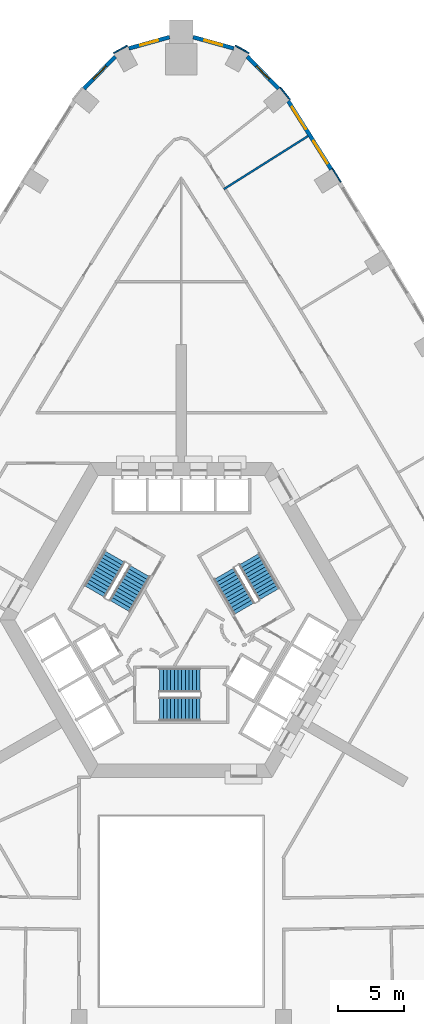
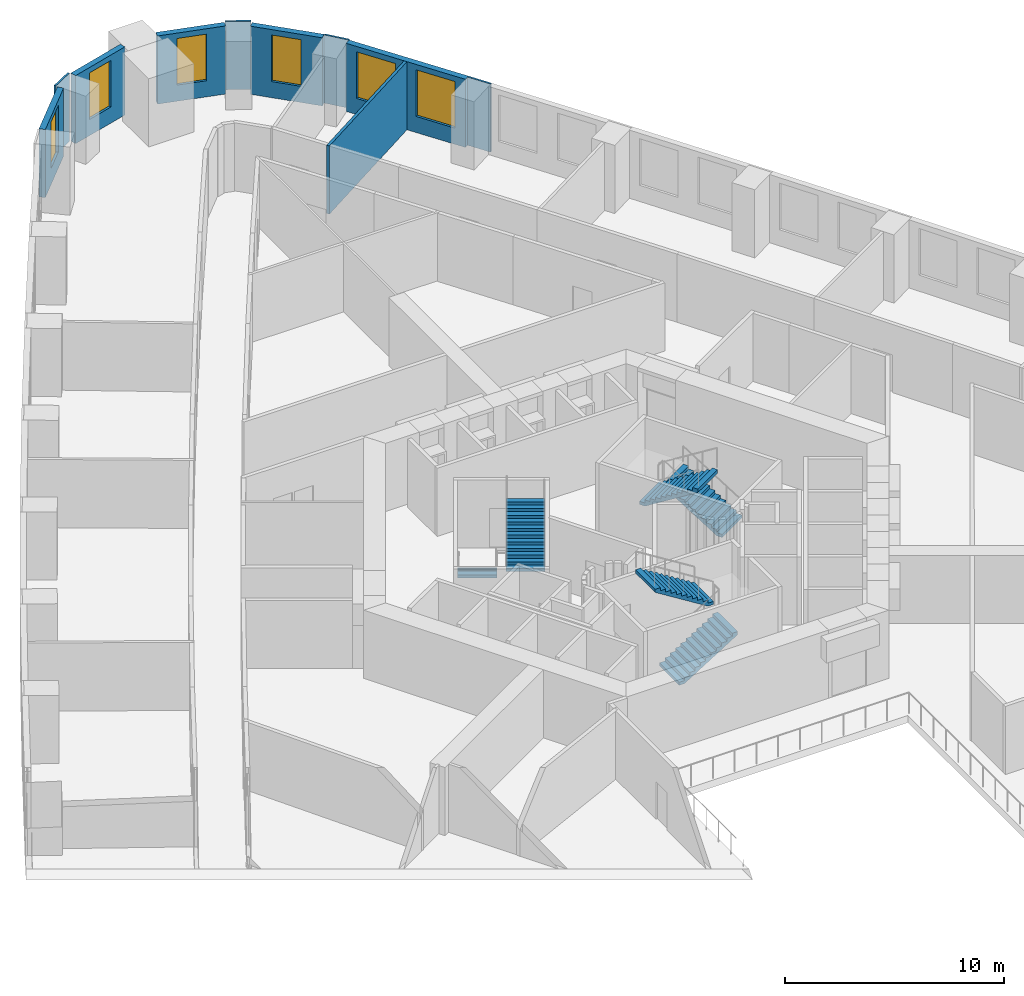
# One storey, part 12 of 13: 10 walls, 6 stair flights, 6 windows, 6 openings, 3 elements without a shape of their own.
"""IFC4 building model written with IfcOpenShell, lengths in metres."""

from ifc_helpers import new_model, si_unit, direction, frame, frame_2d, origin, place, context, subcontext, project, spatial, polyline, rectangle, outline, extrude, material, layer, layer_set, type_object, element, fill, aggregate, save


model = new_model("IFC4")

# Units and contexts
model_context = context("Model", 3, precision=1e-05, world=origin(), true_north=direction((0.0, 1.0)))
body_context = subcontext(model_context, "Body", "Model", "MODEL_VIEW")
ifc_project = project(units=[si_unit("LENGTHUNIT", "METRE"), si_unit("AREAUNIT", "SQUARE_METRE"), si_unit("VOLUMEUNIT", "CUBIC_METRE"), si_unit("PLANEANGLEUNIT", "RADIAN"), si_unit("MASSUNIT", "GRAM", prefix="KILO")], contexts=[model_context])

# Site, building, storey
site_placement = place(None, origin())
site = spatial("IfcSite", under=ifc_project, at=site_placement, CompositionType="ELEMENT")
building_placement = place(site_placement, origin())
building = spatial("IfcBuilding", under=site, at=building_placement, Name="Entoto Arch Interchange Tower", CompositionType="ELEMENT")
storey_placement = place(building_placement, frame((0.0, 0.0, 51.800048828125)))
storey = spatial("IfcBuildingStorey", under=building, at=storey_placement, Name="L10", CompositionType="ELEMENT", Elevation=51.800048828125)

# Wall
ifc_material_1 = material(Name="Gypsum board partition on steel studs", Category="steel")
ifc_layer_1 = layer(ifc_material_1, 0.14990234375)
ifc_layer_set_1 = layer_set([ifc_layer_1], Name="Gypsum board partition on steel studs")
wall_type_1 = type_object("IfcWallType", Name="PARTITION 150", PredefinedType="PARTITIONING", material=ifc_layer_set_1)
wall_1_placement = place(storey_placement, frame((3.235107421875, 35.35205078125, 0.0), z_axis=(0.0, 0.0, 1.0), x_axis=(0.845987036055, 0.533203464755, 0.0)))
element("IfcWall", 1, at=wall_1_placement, inside=storey, type_object=wall_type_1, Name="wall:L10:p138", PredefinedType="PARTITIONING", context=body_context, shape_type="SweptSolid", body=[
    extrude(rectangle(XDim=7.599365234375, YDim=0.14990234375, at=frame_2d((3.7998046875, 0.0))), origin(), (0.0, 0.0, 1.0), 3.800048828125),
])

# Wall, openings, windows
ifc_material_2 = material(Name="Welded tuff (ignimbrite) cladding, warm buff", Category="masonry")
ifc_layer_2 = layer(ifc_material_2, 0.300048828125)
ifc_layer_set_2 = layer_set([ifc_layer_2], Name="Welded tuff (ignimbrite) cladding, warm buff")
wall_type_2 = type_object("IfcWallType", Name="STONE INFILL WALL 300", PredefinedType="STANDARD", material=ifc_layer_set_2)
wall_2_placement = place(storey_placement, frame((11.43896484375, 36.868896484375, 0.0), z_axis=(0.0, 0.0, 1.0), x_axis=(-0.533075127321, 0.846067910177, 0.0)))
wall_2 = element("IfcWall", 2, at=wall_2_placement, inside=storey, type_object=wall_type_2, Name="Facade wall NE-09 L10", PredefinedType="STANDARD", context=body_context, shape_type="SweptSolid", body=[
    extrude(rectangle(XDim=6.15673828125, YDim=0.300048828125, at=frame_2d((3.078369140625, 0.0))), origin(), (0.0, 0.0, 1.0), 3.800048828125),
])
opening_1_placement = place(wall_2_placement, frame((0.5390625, 0.0, 0.89990234375)))
opening_1 = element("IfcOpeningElement", 3, at=opening_1_placement, cuts=wall_2, Name="Opening WO-C", PredefinedType="OPENING", context=body_context, shape_type="SweptSolid", body=[
    extrude(rectangle(XDim=2.0, YDim=2.60009765625, at=frame_2d((1.0, 1.300048828125))), frame((0.0, 0.16015625, 0.0), z_axis=(0.0, -1.0, 0.0), x_axis=(1.0, 0.0, 0.0)), (0.0, 0.0, 1.0), 0.320068359375),
])
opening_2_placement = place(wall_2_placement, frame((3.617919921875, 0.0, 0.89990234375)))
opening_2 = element("IfcOpeningElement", 4, at=opening_2_placement, cuts=wall_2, Name="Opening WO-C", PredefinedType="OPENING", context=body_context, shape_type="SweptSolid", body=[
    extrude(rectangle(XDim=2.0, YDim=2.60009765625, at=frame_2d((1.0, 1.300048828125))), frame((0.0, 0.16015625, 0.0), z_axis=(0.0, -1.0, 0.0), x_axis=(1.0, 0.0, 0.0)), (0.0, 0.0, 1.0), 0.320068359375),
])
ifc_material_3 = material(Name="Clear glass, low-e double glazed", Category="glass")
window_type_1 = type_object("IfcWindowType", Name="WINDOW WO-C 2000x2600", PartitioningType="DOUBLE_PANEL_VERTICAL", PredefinedType="WINDOW", material=ifc_material_3)
window_1_placement = place(opening_1_placement, origin())
window_1 = element("IfcWindow", 5, at=window_1_placement, inside=storey, type_object=window_type_1, Name="Window WO-C NE-09 L10", OverallHeight=2.60009765625, OverallWidth=2.0, PartitioningType="SINGLE_PANEL", PredefinedType="WINDOW", context=body_context, shape_type="SweptSolid", body=[
    extrude(rectangle(XDim=2.0, YDim=2.60009765625, at=frame_2d((1.0, 1.300048828125))), frame((0.0, 0.030029296875, 0.0), z_axis=(0.0, -1.0, 0.0), x_axis=(1.0, 0.0, 0.0)), (0.0, 0.0, 1.0), 0.06005859375),
])
fill(opening_1, window_1)
window_2_placement = place(opening_2_placement, origin())
window_2 = element("IfcWindow", 6, at=window_2_placement, inside=storey, type_object=window_type_1, Name="Window WO-C NE-09 L10", OverallHeight=2.60009765625, OverallWidth=2.0, PartitioningType="SINGLE_PANEL", PredefinedType="WINDOW", context=body_context, shape_type="SweptSolid", body=[
    extrude(rectangle(XDim=2.0, YDim=2.60009765625, at=frame_2d((1.0, 1.300048828125))), frame((0.0, 0.030029296875, 0.0), z_axis=(0.0, -1.0, 0.0), x_axis=(1.0, 0.0, 0.0)), (0.0, 0.0, 1.0), 0.06005859375),
])
fill(opening_2, window_2)

# Wall, opening, window
wall_3_placement = place(storey_placement, frame((7.416015625, 43.02001953125, 0.0), z_axis=(0.0, 0.0, 1.0), x_axis=(-0.696939827977, 0.717129609052, 0.0)))
wall_3 = element("IfcWall", 7, at=wall_3_placement, inside=storey, type_object=wall_type_2, Name="Facade wall N-01 L10", PredefinedType="STANDARD", context=body_context, shape_type="SweptSolid", body=[
    extrude(rectangle(XDim=3.422119140625, YDim=0.300048828125, at=frame_2d((1.7109375, 0.0))), origin(), (0.0, 0.0, 1.0), 3.800048828125),
])
opening_3_placement = place(wall_3_placement, frame((1.010986328125, 0.0, 0.89990234375)))
opening_3 = element("IfcOpeningElement", 8, at=opening_3_placement, cuts=wall_3, Name="Opening WO-B", PredefinedType="OPENING", context=body_context, shape_type="SweptSolid", body=[
    extrude(rectangle(XDim=1.39990234375, YDim=2.60009765625, at=frame_2d((0.699951171875, 1.300048828125))), frame((0.0, 0.16015625, 0.0), z_axis=(0.0, -1.0, 0.0), x_axis=(1.0, 0.0, 0.0)), (0.0, 0.0, 1.0), 0.320068359375),
])
window_type_2 = type_object("IfcWindowType", Name="WINDOW WO-B 1400x2600", PartitioningType="DOUBLE_PANEL_VERTICAL", PredefinedType="WINDOW", material=ifc_material_3)
window_3_placement = place(opening_3_placement, origin())
window_3 = element("IfcWindow", 9, at=window_3_placement, inside=storey, type_object=window_type_2, Name="Window WO-B N-01 L10", OverallHeight=2.60009765625, OverallWidth=1.39990234375, PartitioningType="SINGLE_PANEL", PredefinedType="WINDOW", context=body_context, shape_type="SweptSolid", body=[
    extrude(rectangle(XDim=1.39990234375, YDim=2.60009765625, at=frame_2d((0.699951171875, 1.300048828125))), frame((0.0, 0.030029296875, 0.0), z_axis=(0.0, -1.0, 0.0), x_axis=(1.0, 0.0, 0.0)), (0.0, 0.0, 1.0), 0.06005859375),
])
fill(opening_3, window_3)

wall_4_placement = place(storey_placement, frame((4.0029296875, 46.091064453125, 0.0), z_axis=(0.0, 0.0, 1.0), x_axis=(-0.96355047552, 0.267526598913, 0.0)))
wall_4 = element("IfcWall", 10, at=wall_4_placement, inside=storey, type_object=wall_type_2, Name="Facade wall N-02 L10", PredefinedType="STANDARD", context=body_context, shape_type="SweptSolid", body=[
    extrude(rectangle(XDim=3.221435546875, YDim=0.300048828125, at=frame_2d((1.61083984375, 0.0))), origin(), (0.0, 0.0, 1.0), 3.800048828125),
])
opening_4_placement = place(wall_4_placement, frame((0.910888671875, 0.0, 0.89990234375)))
opening_4 = element("IfcOpeningElement", 11, at=opening_4_placement, cuts=wall_4, Name="Opening WO-B", PredefinedType="OPENING", context=body_context, shape_type="SweptSolid", body=[
    extrude(rectangle(XDim=1.39990234375, YDim=2.60009765625, at=frame_2d((0.699951171875, 1.300048828125))), frame((0.0, 0.16015625, 0.0), z_axis=(0.0, -1.0, 0.0), x_axis=(1.0, 0.0, 0.0)), (0.0, 0.0, 1.0), 0.320068359375),
])
window_4_placement = place(opening_4_placement, origin())
window_4 = element("IfcWindow", 12, at=window_4_placement, inside=storey, type_object=window_type_2, Name="Window WO-B N-02 L10", OverallHeight=2.60009765625, OverallWidth=1.39990234375, PartitioningType="SINGLE_PANEL", PredefinedType="WINDOW", context=body_context, shape_type="SweptSolid", body=[
    extrude(rectangle(XDim=1.39990234375, YDim=2.60009765625, at=frame_2d((0.699951171875, 1.300048828125))), frame((0.0, 0.030029296875, 0.0), z_axis=(0.0, -1.0, 0.0), x_axis=(1.0, 0.0, 0.0)), (0.0, 0.0, 1.0), 0.06005859375),
])
fill(opening_4, window_4)

wall_5_placement = place(storey_placement, frame((-0.89892578125, 46.952880859375, 0.0), z_axis=(0.0, 0.0, 1.0), x_axis=(-0.96355047552, -0.267526598913, 0.0)))
wall_5 = element("IfcWall", 13, at=wall_5_placement, inside=storey, type_object=wall_type_2, Name="Facade wall N-03 L10", PredefinedType="STANDARD", context=body_context, shape_type="SweptSolid", body=[
    extrude(rectangle(XDim=3.221435546875, YDim=0.300048828125, at=frame_2d((1.61083984375, 0.0))), origin(), (0.0, 0.0, 1.0), 3.800048828125),
])
opening_5_placement = place(wall_5_placement, frame((0.910888671875, 0.0, 0.89990234375)))
opening_5 = element("IfcOpeningElement", 14, at=opening_5_placement, cuts=wall_5, Name="Opening WO-B", PredefinedType="OPENING", context=body_context, shape_type="SweptSolid", body=[
    extrude(rectangle(XDim=1.39990234375, YDim=2.60009765625, at=frame_2d((0.699951171875, 1.300048828125))), frame((0.0, 0.16015625, 0.0), z_axis=(0.0, -1.0, 0.0), x_axis=(1.0, 0.0, 0.0)), (0.0, 0.0, 1.0), 0.320068359375),
])
window_5_placement = place(opening_5_placement, origin())
window_5 = element("IfcWindow", 15, at=window_5_placement, inside=storey, type_object=window_type_2, Name="Window WO-B N-03 L10", OverallHeight=2.60009765625, OverallWidth=1.39990234375, PartitioningType="SINGLE_PANEL", PredefinedType="WINDOW", context=body_context, shape_type="SweptSolid", body=[
    extrude(rectangle(XDim=1.39990234375, YDim=2.60009765625, at=frame_2d((0.699951171875, 1.300048828125))), frame((0.0, 0.030029296875, 0.0), z_axis=(0.0, -1.0, 0.0), x_axis=(1.0, 0.0, 0.0)), (0.0, 0.0, 1.0), 0.06005859375),
])
fill(opening_5, window_5)

wall_6_placement = place(storey_placement, frame((-5.031005859375, 45.47412109375, 0.0), z_axis=(0.0, 0.0, 1.0), x_axis=(-0.696939827977, -0.717129609052, 0.0)))
wall_6 = element("IfcWall", 16, at=wall_6_placement, inside=storey, type_object=wall_type_2, Name="Facade wall N-04 L10", PredefinedType="STANDARD", context=body_context, shape_type="SweptSolid", body=[
    extrude(rectangle(XDim=3.422119140625, YDim=0.300048828125, at=frame_2d((1.7109375, 0.0))), origin(), (0.0, 0.0, 1.0), 3.800048828125),
])
opening_6_placement = place(wall_6_placement, frame((1.010986328125, 0.0, 0.89990234375)))
opening_6 = element("IfcOpeningElement", 17, at=opening_6_placement, cuts=wall_6, Name="Opening WO-B", PredefinedType="OPENING", context=body_context, shape_type="SweptSolid", body=[
    extrude(rectangle(XDim=1.39990234375, YDim=2.60009765625, at=frame_2d((0.699951171875, 1.300048828125))), frame((0.0, 0.16015625, 0.0), z_axis=(0.0, -1.0, 0.0), x_axis=(1.0, 0.0, 0.0)), (0.0, 0.0, 1.0), 0.320068359375),
])
window_6_placement = place(opening_6_placement, origin())
window_6 = element("IfcWindow", 18, at=window_6_placement, inside=storey, type_object=window_type_2, Name="Window WO-B N-04 L10", OverallHeight=2.60009765625, OverallWidth=1.39990234375, PartitioningType="SINGLE_PANEL", PredefinedType="WINDOW", context=body_context, shape_type="SweptSolid", body=[
    extrude(rectangle(XDim=1.39990234375, YDim=2.60009765625, at=frame_2d((0.699951171875, 1.300048828125))), frame((0.0, 0.030029296875, 0.0), z_axis=(0.0, -1.0, 0.0), x_axis=(1.0, 0.0, 0.0)), (0.0, 0.0, 1.0), 0.06005859375),
])
fill(opening_6, window_6)

# Walls
ifc_layer_3 = layer(ifc_material_2, 0.10009765625)
ifc_layer_set_3 = layer_set([ifc_layer_3], Name="Welded tuff (ignimbrite) cladding, warm buff")
wall_type_3 = type_object("IfcWallType", Name="STONE PIER CLADDING 100", PredefinedType="STANDARD", material=ifc_layer_set_3)
for number, where, z_axis, x_axis, name in (
    (19, (5.172119140625, 45.72900390625, 0.0), (0.0, 0.0, 1.0), (-0.877155474831, 0.480206489934, 0.0), "Stone pier N1 L10"),
    (20, (-4.1201171875, 46.304931640625, 0.0), (0.0, 0.0, 1.0), (-0.877155474831, -0.480206489934, 0.0), "Stone pier N3 L10"),
):
    element("IfcWall", number, at=place(storey_placement, frame(where, z_axis=z_axis, x_axis=x_axis)), inside=storey, type_object=wall_type_3, Name=name, PredefinedType="STANDARD", context=body_context, shape_type="SweptSolid", body=[
        extrude(rectangle(XDim=1.19921875, YDim=0.10009765625, at=frame_2d((0.599609375, 0.0))), origin(), (0.0, 0.0, 1.0), 3.800048828125),
    ])
wall_7_placement = place(storey_placement, frame((12.162109375, 35.906982421875, 0.0), z_axis=(0.0, 0.0, 1.0), x_axis=(-0.530328162925, 0.847792450785, 0.0)))
element("IfcWall", 21, at=wall_7_placement, inside=storey, type_object=wall_type_3, Name="Stone pier NE09 L10", PredefinedType="STANDARD", context=body_context, shape_type="SweptSolid", body=[
    extrude(rectangle(XDim=1.19970703125, YDim=0.10009765625, at=frame_2d((0.599853515625, 0.0))), origin(), (0.0, 0.0, 1.0), 3.800048828125),
])
wall_8_placement = place(storey_placement, frame((8.294921875, 42.19091796875, 0.0), z_axis=(0.0, 0.0, 1.0), x_axis=(-0.637638520791, 0.770335716947, 0.0)))
element("IfcWall", 22, at=wall_8_placement, inside=storey, type_object=wall_type_3, Name="Stone pier NE10 L10", PredefinedType="STANDARD", context=body_context, shape_type="SweptSolid", body=[
    extrude(rectangle(XDim=1.199462890625, YDim=0.10009765625, at=frame_2d((0.599609375, 0.0))), origin(), (0.0, 0.0, 1.0), 3.800048828125),
])

# Stair, stair flights
ifc_material_4 = material(Name="Concrete C40/50", Category="concrete")
stair_type = type_object("IfcStairType", Name="EXIT STAIR RC 1800", PredefinedType="HALF_TURN_STAIR", material=ifc_material_4)
stair_1_placement = place(storey_placement, origin())
stair_1 = element("IfcStair", 23, at=stair_1_placement, inside=storey, type_object=stair_type, Name="L10 Exit stair S", PredefinedType="HALF_TURN_STAIR")
stair_flight_type = type_object("IfcStairFlightType", Name="EXIT STAIR FLIGHT RC 1800", PredefinedType="STRAIGHT", material=ifc_material_4)
stair_flight_1_placement = place(storey_placement, frame((-1.64990234375, -4.300048828125, 0.0), z_axis=(0.0, 0.0, 1.0), x_axis=(1.0, 0.0, 0.0)))
stair_flight_1 = element("IfcStairFlight", 24, at=stair_flight_1_placement, type_object=stair_flight_type, Name="ST-S flight 1", NumberOfRisers=12, NumberOfTreads=11, PredefinedType="STRAIGHT", RiserHeight=0.175, TreadLength=0.28, context=body_context, shape_type="SweptSolid", body=[
    extrude(outline(polyline([(-0.0029296875, 0.0), (-0.0029296875, 0.175048828125), (0.280029296875, 0.175048828125), (0.280029296875, 0.35009765625), (0.56005859375, 0.35009765625), (0.56005859375, 0.52490234375), (0.840087890625, 0.52490234375), (0.840087890625, 0.699951171875), (1.1201171875, 0.699951171875), (1.1201171875, 0.875), (1.39990234375, 0.875), (1.39990234375, 1.050048828125), (1.679931640625, 1.050048828125), (1.679931640625, 1.22509765625), (1.9599609375, 1.22509765625), (1.9599609375, 1.39990234375), (2.239990234375, 1.39990234375), (2.239990234375, 1.574951171875), (2.52001953125, 1.574951171875), (2.52001953125, 1.75), (2.800048828125, 1.75), (2.800048828125, 1.925048828125), (3.080078125, 1.925048828125), (3.0830078125, 1.925048828125), (3.0830078125, 1.75), (0.28271484375, 0.0), (-0.0029296875, 0.0)])), frame((0.0, 0.89990234375, 0.0), z_axis=(0.0, -1.0, 0.0), x_axis=(1.0, 0.0, 0.0)), (0.0, 0.0, 1.0), 1.800048828125),
])
stair_flight_2_placement = place(storey_placement, frame((1.429931640625, -2.10009765625, 2.099853515625), z_axis=(0.0, 0.0, 1.0), x_axis=(-1.0, 0.0, 0.0)))
stair_flight_2 = element("IfcStairFlight", 25, at=stair_flight_2_placement, type_object=stair_flight_type, Name="ST-S flight 2", NumberOfRisers=12, NumberOfTreads=11, PredefinedType="STRAIGHT", RiserHeight=0.175, TreadLength=0.28, context=body_context, shape_type="SweptSolid", body=[
    extrude(outline(polyline([(-0.0029296875, 0.0), (-0.0029296875, 0.175048828125), (0.280029296875, 0.175048828125), (0.280029296875, 0.35009765625), (0.56005859375, 0.35009765625), (0.56005859375, 0.52490234375), (0.840087890625, 0.52490234375), (0.840087890625, 0.699951171875), (1.1201171875, 0.699951171875), (1.1201171875, 0.875), (1.39990234375, 0.875), (1.39990234375, 1.050048828125), (1.679931640625, 1.050048828125), (1.679931640625, 1.22509765625), (1.9599609375, 1.22509765625), (1.9599609375, 1.39990234375), (2.239990234375, 1.39990234375), (2.239990234375, 1.574951171875), (2.52001953125, 1.574951171875), (2.52001953125, 1.75), (2.800048828125, 1.75), (2.800048828125, 1.925048828125), (3.080078125, 1.925048828125), (3.0830078125, 1.925048828125), (3.0830078125, 1.75), (0.28271484375, 0.0), (-0.0029296875, 0.0)])), frame((0.0, 0.89990234375, 0.0), z_axis=(0.0, -1.0, 0.0), x_axis=(1.0, 0.0, 0.0)), (0.0, 0.0, 1.0), 1.800048828125),
])
aggregate(stair_1, [stair_flight_1, stair_flight_2])

stair_2_placement = place(storey_placement, origin())
stair_2 = element("IfcStair", 26, at=stair_2_placement, inside=storey, type_object=stair_type, Name="L10 Exit stair NE", PredefinedType="HALF_TURN_STAIR")
stair_flight_3_placement = place(storey_placement, frame((6.7138671875, 4.470947265625, 0.0), z_axis=(0.0, 0.0, 1.0), x_axis=(-0.5, 0.866025403784, 0.0)))
stair_flight_3 = element("IfcStairFlight", 27, at=stair_flight_3_placement, type_object=stair_flight_type, Name="ST-NE flight 1", NumberOfRisers=12, NumberOfTreads=11, PredefinedType="STRAIGHT", RiserHeight=0.175, TreadLength=0.28, context=body_context, shape_type="SweptSolid", body=[
    extrude(outline(polyline([(-0.0029296875, 0.0), (-0.0029296875, 0.175048828125), (0.280029296875, 0.175048828125), (0.280029296875, 0.35009765625), (0.56005859375, 0.35009765625), (0.56005859375, 0.52490234375), (0.840087890625, 0.52490234375), (0.840087890625, 0.699951171875), (1.1201171875, 0.699951171875), (1.1201171875, 0.875), (1.39990234375, 0.875), (1.39990234375, 1.050048828125), (1.679931640625, 1.050048828125), (1.679931640625, 1.22509765625), (1.9599609375, 1.22509765625), (1.9599609375, 1.39990234375), (2.239990234375, 1.39990234375), (2.239990234375, 1.574951171875), (2.52001953125, 1.574951171875), (2.52001953125, 1.75), (2.800048828125, 1.75), (2.800048828125, 1.925048828125), (3.080078125, 1.925048828125), (3.0830078125, 1.925048828125), (3.0830078125, 1.75), (0.28271484375, 0.0), (-0.0029296875, 0.0)])), frame((0.0, 0.89990234375, 0.0), z_axis=(0.0, -1.0, 0.0), x_axis=(1.0, 0.0, 0.0)), (0.0, 0.0, 1.0), 1.800048828125),
])
stair_flight_4_placement = place(storey_placement, frame((3.268798828125, 6.038330078125, 2.099853515625), z_axis=(0.0, 0.0, 1.0), x_axis=(0.5, -0.866025403784, 0.0)))
stair_flight_4 = element("IfcStairFlight", 28, at=stair_flight_4_placement, type_object=stair_flight_type, Name="ST-NE flight 2", NumberOfRisers=12, NumberOfTreads=11, PredefinedType="STRAIGHT", RiserHeight=0.175, TreadLength=0.28, context=body_context, shape_type="SweptSolid", body=[
    extrude(outline(polyline([(-0.0029296875, 0.0), (-0.0029296875, 0.175048828125), (0.280029296875, 0.175048828125), (0.280029296875, 0.35009765625), (0.56005859375, 0.35009765625), (0.56005859375, 0.52490234375), (0.840087890625, 0.52490234375), (0.840087890625, 0.699951171875), (1.1201171875, 0.699951171875), (1.1201171875, 0.875), (1.39990234375, 0.875), (1.39990234375, 1.050048828125), (1.679931640625, 1.050048828125), (1.679931640625, 1.22509765625), (1.9599609375, 1.22509765625), (1.9599609375, 1.39990234375), (2.239990234375, 1.39990234375), (2.239990234375, 1.574951171875), (2.52001953125, 1.574951171875), (2.52001953125, 1.75), (2.800048828125, 1.75), (2.800048828125, 1.925048828125), (3.080078125, 1.925048828125), (3.0830078125, 1.925048828125), (3.0830078125, 1.75), (0.28271484375, 0.0), (-0.0029296875, 0.0)])), frame((0.0, 0.89990234375, 0.0), z_axis=(0.0, -1.0, 0.0), x_axis=(1.0, 0.0, 0.0)), (0.0, 0.0, 1.0), 1.800048828125),
])
aggregate(stair_2, [stair_flight_3, stair_flight_4])

stair_3_placement = place(storey_placement, origin())
stair_3 = element("IfcStair", 29, at=stair_3_placement, inside=storey, type_object=stair_type, Name="L10 Exit stair NW", PredefinedType="HALF_TURN_STAIR")
stair_flight_5_placement = place(storey_placement, frame((-5.06396484375, 7.328857421875, 0.0), z_axis=(0.0, 0.0, 1.0), x_axis=(-0.5, -0.866025403784, 0.0)))
stair_flight_5 = element("IfcStairFlight", 30, at=stair_flight_5_placement, type_object=stair_flight_type, Name="ST-NW flight 1", NumberOfRisers=12, NumberOfTreads=11, PredefinedType="STRAIGHT", RiserHeight=0.175, TreadLength=0.28, context=body_context, shape_type="SweptSolid", body=[
    extrude(outline(polyline([(-0.0029296875, 0.0), (-0.0029296875, 0.175048828125), (0.280029296875, 0.175048828125), (0.280029296875, 0.35009765625), (0.56005859375, 0.35009765625), (0.56005859375, 0.52490234375), (0.840087890625, 0.52490234375), (0.840087890625, 0.699951171875), (1.1201171875, 0.699951171875), (1.1201171875, 0.875), (1.39990234375, 0.875), (1.39990234375, 1.050048828125), (1.679931640625, 1.050048828125), (1.679931640625, 1.22509765625), (1.9599609375, 1.22509765625), (1.9599609375, 1.39990234375), (2.239990234375, 1.39990234375), (2.239990234375, 1.574951171875), (2.52001953125, 1.574951171875), (2.52001953125, 1.75), (2.800048828125, 1.75), (2.800048828125, 1.925048828125), (3.080078125, 1.925048828125), (3.0830078125, 1.925048828125), (3.0830078125, 1.75), (0.28271484375, 0.0), (-0.0029296875, 0.0)])), frame((0.0, 0.89990234375, 0.0), z_axis=(0.0, -1.0, 0.0), x_axis=(1.0, 0.0, 0.0)), (0.0, 0.0, 1.0), 1.800048828125),
])
stair_flight_6_placement = place(storey_placement, frame((-4.69873046875, 3.5615234375, 2.099853515625), z_axis=(0.0, 0.0, 1.0), x_axis=(0.5, 0.866025403784, 0.0)))
stair_flight_6 = element("IfcStairFlight", 31, at=stair_flight_6_placement, type_object=stair_flight_type, Name="ST-NW flight 2", NumberOfRisers=12, NumberOfTreads=11, PredefinedType="STRAIGHT", RiserHeight=0.175, TreadLength=0.28, context=body_context, shape_type="SweptSolid", body=[
    extrude(outline(polyline([(-0.0029296875, 0.0), (-0.0029296875, 0.175048828125), (0.280029296875, 0.175048828125), (0.280029296875, 0.35009765625), (0.56005859375, 0.35009765625), (0.56005859375, 0.52490234375), (0.840087890625, 0.52490234375), (0.840087890625, 0.699951171875), (1.1201171875, 0.699951171875), (1.1201171875, 0.875), (1.39990234375, 0.875), (1.39990234375, 1.050048828125), (1.679931640625, 1.050048828125), (1.679931640625, 1.22509765625), (1.9599609375, 1.22509765625), (1.9599609375, 1.39990234375), (2.239990234375, 1.39990234375), (2.239990234375, 1.574951171875), (2.52001953125, 1.574951171875), (2.52001953125, 1.75), (2.800048828125, 1.75), (2.800048828125, 1.925048828125), (3.080078125, 1.925048828125), (3.0830078125, 1.925048828125), (3.0830078125, 1.75), (0.28271484375, 0.0), (-0.0029296875, 0.0)])), frame((0.0, 0.89990234375, 0.0), z_axis=(0.0, -1.0, 0.0), x_axis=(1.0, 0.0, 0.0)), (0.0, 0.0, 1.0), 1.800048828125),
])
aggregate(stair_3, [stair_flight_5, stair_flight_6])

save(model, "model.ifc")
